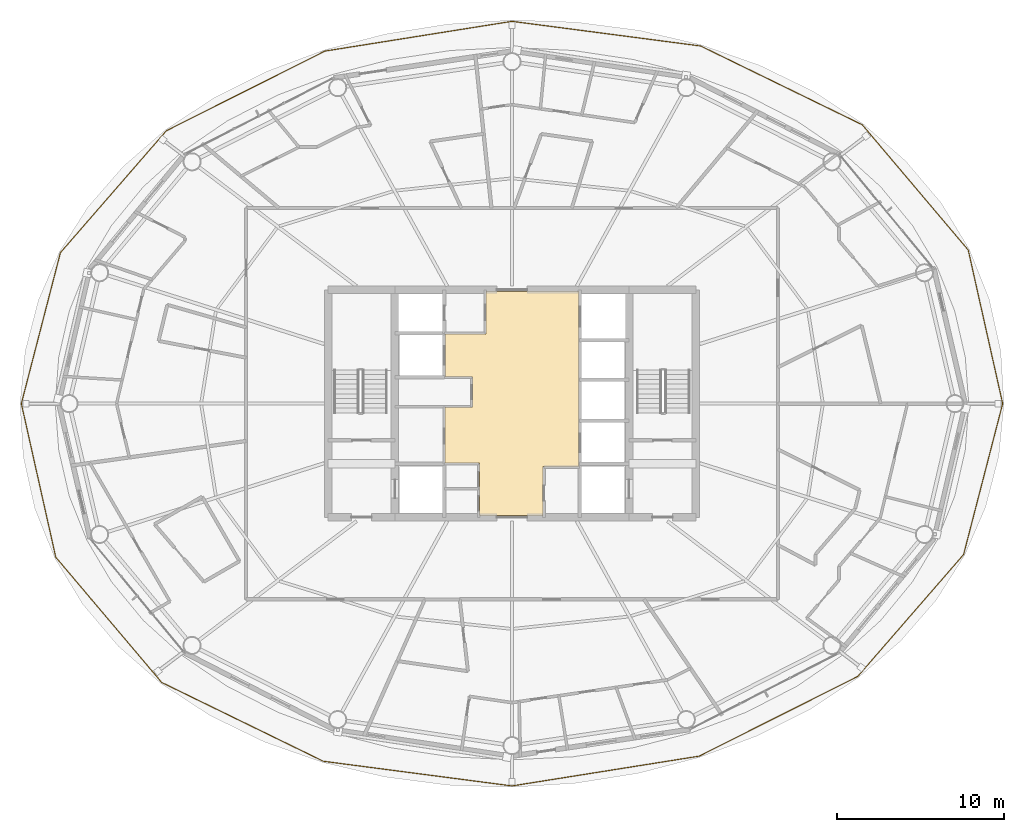
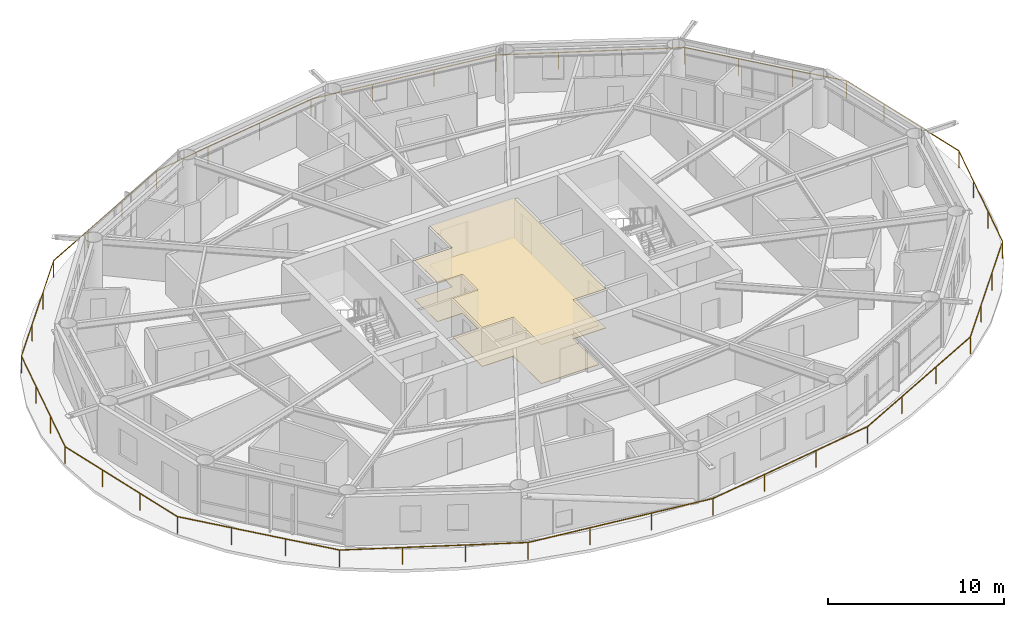
# One storey, part 27 of 28: 2 coverings, 1 railing.
"""IFC4 building model written with IfcOpenShell, lengths in metres."""

from ifc_helpers import new_model, si_unit, direction, frame, origin, origin_2d, place, context, subcontext, project, spatial, polyline, rectangle, outline, extrude, material, layer, layer_set, type_object, element, save


model = new_model("IFC4")

# Units and contexts
model_context = context("Model", 3, precision=1e-05, world=origin(), true_north=direction((0.0, 1.0)))
body_context = subcontext(model_context, "Body", "Model", "MODEL_VIEW")
ifc_project = project(units=[si_unit("LENGTHUNIT", "METRE"), si_unit("AREAUNIT", "SQUARE_METRE"), si_unit("VOLUMEUNIT", "CUBIC_METRE"), si_unit("PLANEANGLEUNIT", "RADIAN"), si_unit("MASSUNIT", "GRAM", prefix="KILO")], contexts=[model_context])

# Site, building, storey
site_placement = place(None, origin())
site = spatial("IfcSite", under=ifc_project, at=site_placement, CompositionType="ELEMENT")
building_placement = place(site_placement, origin())
building = spatial("IfcBuilding", under=site, at=building_placement, Name="Sarneth Arch Tower", CompositionType="ELEMENT")
storey_placement = place(building_placement, frame((0.0, 0.0, 172.199951171875)))
storey = spatial("IfcBuildingStorey", under=building, at=storey_placement, Name="L43", CompositionType="ELEMENT", Elevation=172.199951171875)

# Coverings
ifc_material_1 = material(Name="Perforated acoustic gypsum ceiling board")
ifc_layer_1 = layer(ifc_material_1, 0.02490234375)
ifc_layer_set_1 = layer_set([ifc_layer_1], Name="Perforated acoustic gypsum ceiling board")
covering_type_1 = type_object("IfcCoveringType", Name="COV-CEIL-GYP", PredefinedType="CEILING", material=ifc_layer_set_1)
covering_1_placement = place(storey_placement, frame((0.0, 0.0, 2.7099609375)))
element("IfcCovering", 1, at=covering_1_placement, inside=storey, type_object=covering_type_1, Name="L43 Lift lobby acoustic ceiling", PredefinedType="CEILING", context=body_context, shape_type="SweptSolid", body=[
    extrude(outline(polyline([(49.85009765625, 38.25), (49.85009765625, 35.300048828125), (46.050048828125, 35.300048828125), (46.050048828125, 38.449951171875), (44.0, 38.449951171875), (44.0, 41.800048828125), (45.64990234375, 41.800048828125), (45.64990234375, 43.580078125), (44.0, 43.580078125), (44.0, 46.14990234375), (46.449951171875, 46.14990234375), (46.449951171875, 48.699951171875), (52.0, 48.699951171875), (52.0, 38.25), (49.85009765625, 38.25)])), origin(), (0.0, 0.0, 1.0), 0.030029296875),
])
ifc_material_2 = material(Name="Honed granite stone flooring", Category="masonry")
ifc_layer_2 = layer(ifc_material_2, 0.030029296875)
ifc_layer_set_2 = layer_set([ifc_layer_2], Name="Honed granite stone flooring")
covering_type_2 = type_object("IfcCoveringType", Name="COV-FLR-STONE", PredefinedType="FLOORING", material=ifc_layer_set_2)
covering_2_placement = place(storey_placement, origin())
element("IfcCovering", 2, at=covering_2_placement, inside=storey, type_object=covering_type_2, Name="L43 Lift lobby granite flooring", PredefinedType="FLOORING", context=body_context, shape_type="SweptSolid", body=[
    extrude(outline(polyline([(49.85009765625, 38.25), (49.85009765625, 35.300048828125), (46.050048828125, 35.300048828125), (46.050048828125, 38.449951171875), (44.0, 38.449951171875), (44.0, 41.800048828125), (45.64990234375, 41.800048828125), (45.64990234375, 43.580078125), (44.0, 43.580078125), (44.0, 46.14990234375), (46.449951171875, 46.14990234375), (46.449951171875, 48.699951171875), (52.0, 48.699951171875), (52.0, 38.25), (49.85009765625, 38.25)])), origin(), (0.0, 0.0, 1.0), 0.030029296875),
])

# Railing
ifc_material_3 = material(Name="Laminated structural glass infill with Stainless Steel 316 top rail and posts", Category="steel")
railing_type = type_object("IfcRailingType", Name="RAIL-BALC-1200", PredefinedType="BALUSTRADE", material=ifc_material_3)
railing_placement = place(storey_placement, frame((77.342041015625, 42.0, 0.0)))
element("IfcRailing", 3, at=railing_placement, inside=storey, type_object=railing_type, Name="L43 Helical balcony glass balustrade", PredefinedType="BALUSTRADE", context=body_context, shape_type="SweptSolid", body=[
    extrude(rectangle(XDim=0.048095703125, YDim=0.048095703125, at=origin_2d()), frame((0.0, 0.0, 1.17578125), z_axis=(-0.218800456781, 0.975769624508, 0.0), x_axis=(-0.975769624508, -0.218800456781, 0.0)), (0.0, 0.0, 1.0), 9.411865234375),
    extrude(rectangle(XDim=0.048095703125, YDim=0.048095703125, at=origin_2d()), frame((-2.059326171875, 9.183837890625, 1.17578125), z_axis=(-0.645798352047, 0.763508014689, 0.0), x_axis=(-0.763508014689, -0.645798352047, 0.0)), (0.0, 0.0, 1.0), 9.8125),
    extrude(rectangle(XDim=0.048095703125, YDim=0.048095703125, at=origin_2d()), frame((-8.396240234375, 16.67578125, 1.17578125), z_axis=(-0.898896531101, 0.438160959437, 0.0), x_axis=(-0.438160959437, -0.898896531101, 0.0)), (0.0, 0.0, 1.0), 10.75),
    extrude(rectangle(XDim=0.048095703125, YDim=0.048095703125, at=origin_2d()), frame((-18.059326171875, 21.385986328125, 1.17578125), z_axis=(-0.991558844306, 0.129657465187, 0.0), x_axis=(-0.129657465187, -0.991558844306, 0.0)), (0.0, 0.0, 1.0), 11.378662109375),
    extrude(rectangle(XDim=0.048095703125, YDim=0.048095703125, at=origin_2d()), frame((-29.342041015625, 22.861328125, 1.17578125), z_axis=(-0.987576505866, -0.157138935539, 0.0), x_axis=(0.157138935539, -0.987576505866, 0.0)), (0.0, 0.0, 1.0), 11.32763671875),
    extrude(rectangle(XDim=0.048095703125, YDim=0.048095703125, at=origin_2d()), frame((-40.529052734375, 21.081298828125, 1.17578125), z_axis=(-0.893579379799, -0.448905214937, 0.0), x_axis=(0.448905214937, -0.893579379799, 0.0)), (0.0, 0.0, 1.0), 10.6171875),
    extrude(rectangle(XDim=0.048095703125, YDim=0.048095703125, at=origin_2d()), frame((-50.016357421875, 16.315185546875, 1.17578125), z_axis=(-0.655776583393, -0.754955013675, 0.0), x_axis=(0.754955013675, -0.655776583393, 0.0)), (0.0, 0.0, 1.0), 9.652099609375),
    extrude(rectangle(XDim=0.048095703125, YDim=0.048095703125, at=origin_2d()), frame((-56.345947265625, 9.0283203125, 1.17578125), z_axis=(-0.250706863924, -0.968063049797, 0.0), x_axis=(0.968063049797, -0.250706863924, 0.0)), (0.0, 0.0, 1.0), 9.326171875),
    extrude(rectangle(XDim=0.048095703125, YDim=0.048095703125, at=origin_2d()), frame((-58.68408203125, 0.0, 1.17578125), z_axis=(0.218800456781, -0.975769624508, 0.0), x_axis=(0.975769624508, 0.218800456781, 0.0)), (0.0, 0.0, 1.0), 9.411865234375),
    extrude(rectangle(XDim=0.048095703125, YDim=0.048095703125, at=origin_2d()), frame((-56.624755859375, -9.183837890625, 1.17578125), z_axis=(0.645798352047, -0.763508014689, 0.0), x_axis=(0.763508014689, 0.645798352047, 0.0)), (0.0, 0.0, 1.0), 9.8125),
    extrude(rectangle(XDim=0.048095703125, YDim=0.048095703125, at=origin_2d()), frame((-50.287841796875, -16.67578125, 1.17578125), z_axis=(0.898896531101, -0.438160959437, 0.0), x_axis=(0.438160959437, 0.898896531101, 0.0)), (0.0, 0.0, 1.0), 10.75),
    extrude(rectangle(XDim=0.048095703125, YDim=0.048095703125, at=origin_2d()), frame((-40.624755859375, -21.385986328125, 1.17578125), z_axis=(0.991558844306, -0.129657465187, 0.0), x_axis=(0.129657465187, 0.991558844306, 0.0)), (0.0, 0.0, 1.0), 11.378662109375),
    extrude(rectangle(XDim=0.048095703125, YDim=0.048095703125, at=origin_2d()), frame((-29.342041015625, -22.861328125, 1.17578125), z_axis=(0.987576505866, 0.157138935539, 0.0), x_axis=(-0.157138935539, 0.987576505866, 0.0)), (0.0, 0.0, 1.0), 11.32763671875),
    extrude(rectangle(XDim=0.048095703125, YDim=0.048095703125, at=origin_2d()), frame((-18.155029296875, -21.081298828125, 1.17578125), z_axis=(0.893579379799, 0.448905214937, 0.0), x_axis=(-0.448905214937, 0.893579379799, 0.0)), (0.0, 0.0, 1.0), 10.6171875),
    extrude(rectangle(XDim=0.048095703125, YDim=0.048095703125, at=origin_2d()), frame((-8.667724609375, -16.315185546875, 1.17578125), z_axis=(0.655776583393, 0.754955013675, 0.0), x_axis=(-0.754955013675, 0.655776583393, 0.0)), (0.0, 0.0, 1.0), 9.652099609375),
    extrude(rectangle(XDim=0.048095703125, YDim=0.048095703125, at=origin_2d()), frame((-2.338134765625, -9.0283203125, 1.17578125), z_axis=(0.250706863924, 0.968063049797, 0.0), x_axis=(-0.968063049797, 0.250706863924, 0.0)), (0.0, 0.0, 1.0), 9.326171875),
    extrude(rectangle(XDim=0.0419921875, YDim=0.0419921875, at=origin_2d()), origin(), (0.0, 0.0, 1.0), 1.15185546875),
    extrude(rectangle(XDim=0.0419921875, YDim=0.0419921875, at=origin_2d()), frame((-0.6865234375, 3.061279296875, 0.0)), (0.0, 0.0, 1.0), 1.15185546875),
    extrude(rectangle(XDim=0.0419921875, YDim=0.0419921875, at=origin_2d()), frame((-1.372802734375, 6.12255859375, 0.0)), (0.0, 0.0, 1.0), 1.15185546875),
    extrude(rectangle(XDim=0.0419921875, YDim=0.0419921875, at=origin_2d()), frame((-2.059326171875, 9.183837890625, 0.0)), (0.0, 0.0, 1.0), 1.15185546875),
    extrude(rectangle(XDim=0.0419921875, YDim=0.0419921875, at=origin_2d()), frame((-4.171630859375, 11.68115234375, 0.0)), (0.0, 0.0, 1.0), 1.15185546875),
    extrude(rectangle(XDim=0.0419921875, YDim=0.0419921875, at=origin_2d()), frame((-6.283935546875, 14.178466796875, 0.0)), (0.0, 0.0, 1.0), 1.15185546875),
    extrude(rectangle(XDim=0.0419921875, YDim=0.0419921875, at=origin_2d()), frame((-8.396240234375, 16.67578125, 0.0)), (0.0, 0.0, 1.0), 1.15185546875),
    extrude(rectangle(XDim=0.0419921875, YDim=0.0419921875, at=origin_2d()), frame((-11.6171875, 18.245849609375, 0.0)), (0.0, 0.0, 1.0), 1.15185546875),
    extrude(rectangle(XDim=0.0419921875, YDim=0.0419921875, at=origin_2d()), frame((-14.83837890625, 19.81591796875, 0.0)), (0.0, 0.0, 1.0), 1.15185546875),
    extrude(rectangle(XDim=0.0419921875, YDim=0.0419921875, at=origin_2d()), frame((-18.059326171875, 21.385986328125, 0.0)), (0.0, 0.0, 1.0), 1.15185546875),
    extrude(rectangle(XDim=0.0419921875, YDim=0.0419921875, at=origin_2d()), frame((-21.8203125, 21.877685546875, 0.0)), (0.0, 0.0, 1.0), 1.15185546875),
    extrude(rectangle(XDim=0.0419921875, YDim=0.0419921875, at=origin_2d()), frame((-25.5810546875, 22.36962890625, 0.0)), (0.0, 0.0, 1.0), 1.15185546875),
    extrude(rectangle(XDim=0.0419921875, YDim=0.0419921875, at=origin_2d()), frame((-29.342041015625, 22.861328125, 0.0)), (0.0, 0.0, 1.0), 1.15185546875),
    extrude(rectangle(XDim=0.0419921875, YDim=0.0419921875, at=origin_2d()), frame((-33.071044921875, 22.26806640625, 0.0)), (0.0, 0.0, 1.0), 1.15185546875),
    extrude(rectangle(XDim=0.0419921875, YDim=0.0419921875, at=origin_2d()), frame((-36.800048828125, 21.674560546875, 0.0)), (0.0, 0.0, 1.0), 1.15185546875),
    extrude(rectangle(XDim=0.0419921875, YDim=0.0419921875, at=origin_2d()), frame((-40.529052734375, 21.081298828125, 0.0)), (0.0, 0.0, 1.0), 1.15185546875),
    extrude(rectangle(XDim=0.0419921875, YDim=0.0419921875, at=origin_2d()), frame((-43.69140625, 19.49267578125, 0.0)), (0.0, 0.0, 1.0), 1.15185546875),
    extrude(rectangle(XDim=0.0419921875, YDim=0.0419921875, at=origin_2d()), frame((-46.85400390625, 17.90380859375, 0.0)), (0.0, 0.0, 1.0), 1.15185546875),
    extrude(rectangle(XDim=0.0419921875, YDim=0.0419921875, at=origin_2d()), frame((-50.016357421875, 16.315185546875, 0.0)), (0.0, 0.0, 1.0), 1.15185546875),
    extrude(rectangle(XDim=0.0419921875, YDim=0.0419921875, at=origin_2d()), frame((-52.126220703125, 13.88623046875, 0.0)), (0.0, 0.0, 1.0), 1.15185546875),
    extrude(rectangle(XDim=0.0419921875, YDim=0.0419921875, at=origin_2d()), frame((-54.236083984375, 11.457275390625, 0.0)), (0.0, 0.0, 1.0), 1.15185546875),
    extrude(rectangle(XDim=0.0419921875, YDim=0.0419921875, at=origin_2d()), frame((-56.345947265625, 9.0283203125, 0.0)), (0.0, 0.0, 1.0), 1.15185546875),
    extrude(rectangle(XDim=0.0419921875, YDim=0.0419921875, at=origin_2d()), frame((-57.125244140625, 6.018798828125, 0.0)), (0.0, 0.0, 1.0), 1.15185546875),
    extrude(rectangle(XDim=0.0419921875, YDim=0.0419921875, at=origin_2d()), frame((-57.90478515625, 3.009521484375, 0.0)), (0.0, 0.0, 1.0), 1.15185546875),
    extrude(rectangle(XDim=0.0419921875, YDim=0.0419921875, at=origin_2d()), frame((-58.68408203125, 0.0, 0.0)), (0.0, 0.0, 1.0), 1.15185546875),
    extrude(rectangle(XDim=0.0419921875, YDim=0.0419921875, at=origin_2d()), frame((-57.99755859375, -3.061279296875, 0.0)), (0.0, 0.0, 1.0), 1.15185546875),
    extrude(rectangle(XDim=0.0419921875, YDim=0.0419921875, at=origin_2d()), frame((-57.311279296875, -6.12255859375, 0.0)), (0.0, 0.0, 1.0), 1.15185546875),
    extrude(rectangle(XDim=0.0419921875, YDim=0.0419921875, at=origin_2d()), frame((-56.624755859375, -9.183837890625, 0.0)), (0.0, 0.0, 1.0), 1.15185546875),
    extrude(rectangle(XDim=0.0419921875, YDim=0.0419921875, at=origin_2d()), frame((-54.512451171875, -11.68115234375, 0.0)), (0.0, 0.0, 1.0), 1.15185546875),
    extrude(rectangle(XDim=0.0419921875, YDim=0.0419921875, at=origin_2d()), frame((-52.400146484375, -14.178466796875, 0.0)), (0.0, 0.0, 1.0), 1.15185546875),
    extrude(rectangle(XDim=0.0419921875, YDim=0.0419921875, at=origin_2d()), frame((-50.287841796875, -16.67578125, 0.0)), (0.0, 0.0, 1.0), 1.15185546875),
    extrude(rectangle(XDim=0.0419921875, YDim=0.0419921875, at=origin_2d()), frame((-47.06689453125, -18.245849609375, 0.0)), (0.0, 0.0, 1.0), 1.15185546875),
    extrude(rectangle(XDim=0.0419921875, YDim=0.0419921875, at=origin_2d()), frame((-43.845703125, -19.81591796875, 0.0)), (0.0, 0.0, 1.0), 1.15185546875),
    extrude(rectangle(XDim=0.0419921875, YDim=0.0419921875, at=origin_2d()), frame((-40.624755859375, -21.385986328125, 0.0)), (0.0, 0.0, 1.0), 1.15185546875),
    extrude(rectangle(XDim=0.0419921875, YDim=0.0419921875, at=origin_2d()), frame((-36.86376953125, -21.877685546875, 0.0)), (0.0, 0.0, 1.0), 1.15185546875),
    extrude(rectangle(XDim=0.0419921875, YDim=0.0419921875, at=origin_2d()), frame((-33.10302734375, -22.36962890625, 0.0)), (0.0, 0.0, 1.0), 1.15185546875),
    extrude(rectangle(XDim=0.0419921875, YDim=0.0419921875, at=origin_2d()), frame((-29.342041015625, -22.861328125, 0.0)), (0.0, 0.0, 1.0), 1.15185546875),
    extrude(rectangle(XDim=0.0419921875, YDim=0.0419921875, at=origin_2d()), frame((-25.613037109375, -22.26806640625, 0.0)), (0.0, 0.0, 1.0), 1.15185546875),
    extrude(rectangle(XDim=0.0419921875, YDim=0.0419921875, at=origin_2d()), frame((-21.884033203125, -21.674560546875, 0.0)), (0.0, 0.0, 1.0), 1.15185546875),
    extrude(rectangle(XDim=0.0419921875, YDim=0.0419921875, at=origin_2d()), frame((-18.155029296875, -21.081298828125, 0.0)), (0.0, 0.0, 1.0), 1.15185546875),
    extrude(rectangle(XDim=0.0419921875, YDim=0.0419921875, at=origin_2d()), frame((-14.99267578125, -19.49267578125, 0.0)), (0.0, 0.0, 1.0), 1.15185546875),
    extrude(rectangle(XDim=0.0419921875, YDim=0.0419921875, at=origin_2d()), frame((-11.830078125, -17.90380859375, 0.0)), (0.0, 0.0, 1.0), 1.15185546875),
    extrude(rectangle(XDim=0.0419921875, YDim=0.0419921875, at=origin_2d()), frame((-8.667724609375, -16.315185546875, 0.0)), (0.0, 0.0, 1.0), 1.15185546875),
    extrude(rectangle(XDim=0.0419921875, YDim=0.0419921875, at=origin_2d()), frame((-6.557861328125, -13.88623046875, 0.0)), (0.0, 0.0, 1.0), 1.15185546875),
    extrude(rectangle(XDim=0.0419921875, YDim=0.0419921875, at=origin_2d()), frame((-4.447998046875, -11.457275390625, 0.0)), (0.0, 0.0, 1.0), 1.15185546875),
    extrude(rectangle(XDim=0.0419921875, YDim=0.0419921875, at=origin_2d()), frame((-2.338134765625, -9.0283203125, 0.0)), (0.0, 0.0, 1.0), 1.15185546875),
    extrude(rectangle(XDim=0.0419921875, YDim=0.0419921875, at=origin_2d()), frame((-1.558837890625, -6.018798828125, 0.0)), (0.0, 0.0, 1.0), 1.15185546875),
    extrude(rectangle(XDim=0.0419921875, YDim=0.0419921875, at=origin_2d()), frame((-0.779296875, -3.009521484375, 0.0)), (0.0, 0.0, 1.0), 1.15185546875),
])

save(model, "model.ifc")
